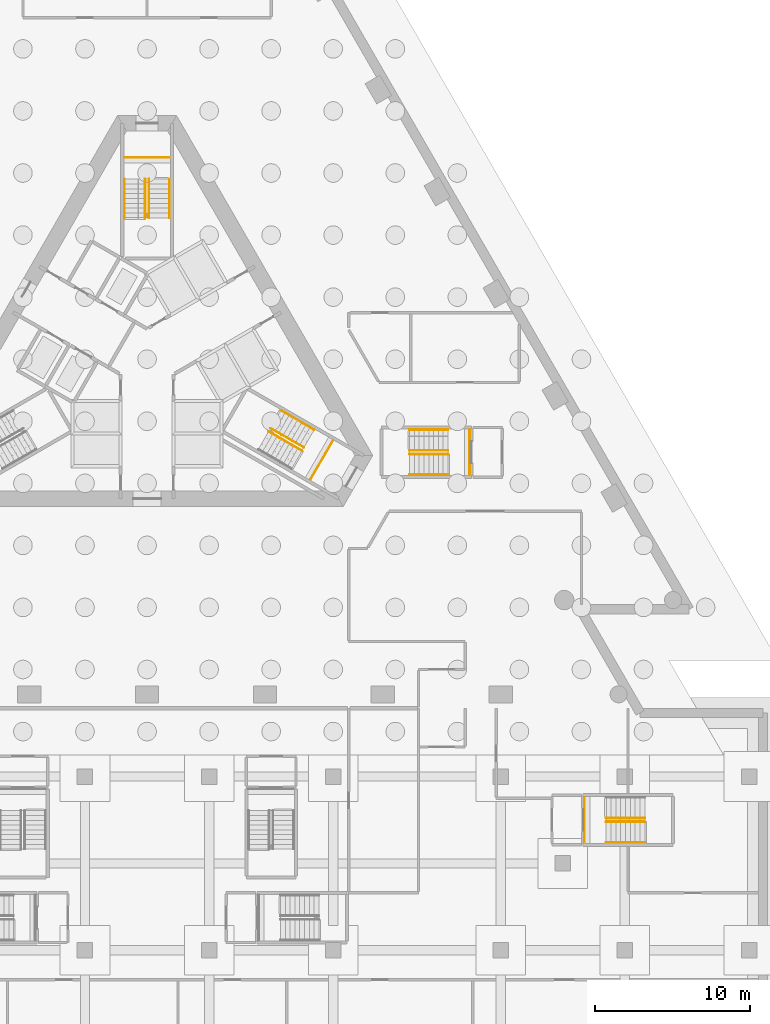
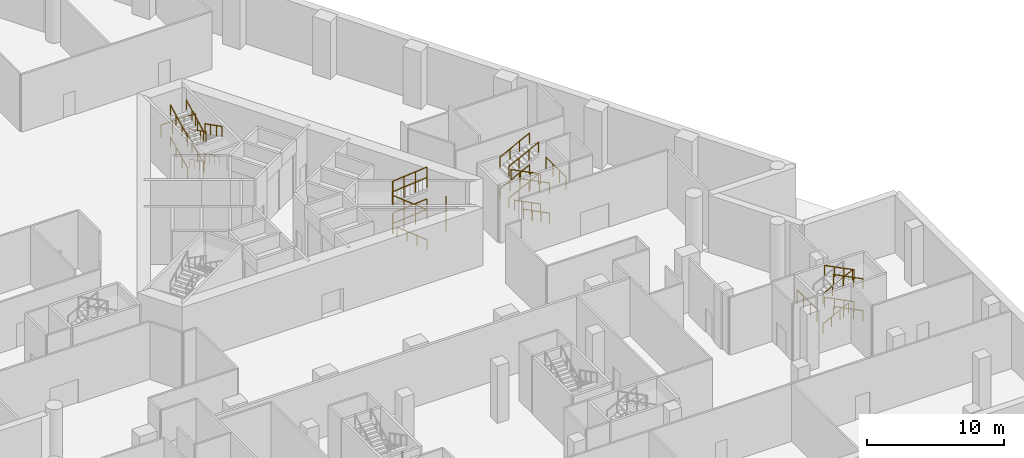
# One storey, part 18 of 20: 32 railings, 4 elements without a shape of their own.
"""IFC4 building model written with IfcOpenShell, lengths in metres."""

from ifc_helpers import new_model, si_unit, direction, frame, origin, origin_2d, place, context, subcontext, project, spatial, circle, extrude, material, type_object, element, aggregate, save


model = new_model("IFC4")

# Units and contexts
model_context = context("Model", 3, precision=1e-05, world=origin(), true_north=direction((0.0, 1.0)))
body_context = subcontext(model_context, "Body", "Model", "MODEL_VIEW")
ifc_project = project(units=[si_unit("LENGTHUNIT", "METRE"), si_unit("AREAUNIT", "SQUARE_METRE"), si_unit("VOLUMEUNIT", "CUBIC_METRE"), si_unit("PLANEANGLEUNIT", "RADIAN"), si_unit("MASSUNIT", "GRAM", prefix="KILO")], contexts=[model_context])

# Site, building, storey
site_placement = place(None, origin())
site = spatial("IfcSite", under=ifc_project, at=site_placement, CompositionType="ELEMENT")
building_placement = place(site_placement, origin())
building = spatial("IfcBuilding", under=site, at=building_placement, Name="Triada Interchange Tower", CompositionType="ELEMENT")
storey_placement = place(building_placement, frame((0.0, 0.0, -5.5)))
storey = spatial("IfcBuildingStorey", under=building, at=storey_placement, Name="B1", CompositionType="ELEMENT", Elevation=-5.5)

# Stair, railing
ifc_material_1 = material(Name="Concrete C35/45", Category="concrete")
stair_type = type_object("IfcStairType", Name="HALF TURN STAIR 1400", PredefinedType="HALF_TURN_STAIR", material=ifc_material_1)
stair_1_placement = place(storey_placement, origin())
stair_1 = element("IfcStair", 1, at=stair_1_placement, inside=storey, type_object=stair_type, Name="Exit stair SB1-1", PredefinedType="HALF_TURN_STAIR")
ifc_material_2 = material(Name="Stainless steel 1.4301", Category="steel")
railing_type_1 = type_object("IfcRailingType", Name="STAIR GUARD 1100", PredefinedType="GUARDRAIL", material=ifc_material_2)
railing_1_placement = place(storey_placement, frame((1.449951171875, 13.0, 2.67138671875)))
railing_1 = element("IfcRailing", 2, at=railing_1_placement, type_object=railing_type_1, Name="Guard SB1-1 1", PredefinedType="GUARDRAIL", context=body_context, shape_type="SweptSolid", body=[
    extrude(circle(Radius=0.02392578125, at=origin_2d()), frame((0.0, 0.0, 1.076171875), z_axis=(-1.0, 0.0, 0.0), x_axis=(0.0, -1.0, 0.0)), (0.0, 0.0, 1.0), 2.89990234375),
    extrude(circle(Radius=0.02099609375, at=origin_2d()), origin(), (0.0, 0.0, 1.0), 1.052001953125),
    extrude(circle(Radius=0.02099609375, at=origin_2d()), frame((-0.966552734375, 0.0, 0.0)), (0.0, 0.0, 1.0), 1.052001953125),
    extrude(circle(Radius=0.02099609375, at=origin_2d()), frame((-1.933349609375, 0.0, 0.0)), (0.0, 0.0, 1.0), 1.052001953125),
    extrude(circle(Radius=0.02099609375, at=origin_2d()), frame((-2.89990234375, 0.0, 0.0)), (0.0, 0.0, 1.0), 1.052001953125),
])

stair_2_placement = place(storey_placement, origin())
stair_2 = element("IfcStair", 3, at=stair_2_placement, inside=storey, type_object=stair_type, Name="Exit stair SB1-3", PredefinedType="HALF_TURN_STAIR")
railing_2_placement = place(storey_placement, frame((10.532958984375, -7.756103515625, 2.67138671875)))
railing_2 = element("IfcRailing", 4, at=railing_2_placement, type_object=railing_type_1, Name="Guard SB1-3 1", PredefinedType="GUARDRAIL", context=body_context, shape_type="SweptSolid", body=[
    extrude(circle(Radius=0.02392578125, at=origin_2d()), frame((0.0, 0.0, 1.076171875), z_axis=(0.499877891294, 0.866095891802, 0.0), x_axis=(-0.866095891802, 0.499877891294, 0.0)), (0.0, 0.0, 1.0), 2.900634765625),
    extrude(circle(Radius=0.02099609375, at=origin_2d()), origin(), (0.0, 0.0, 1.0), 1.052001953125),
    extrude(circle(Radius=0.02099609375, at=origin_2d()), frame((0.4833984375, 0.83740234375, 0.0)), (0.0, 0.0, 1.0), 1.052001953125),
    extrude(circle(Radius=0.02099609375, at=origin_2d()), frame((0.966552734375, 1.6748046875, 0.0)), (0.0, 0.0, 1.0), 1.052001953125),
    extrude(circle(Radius=0.02099609375, at=origin_2d()), frame((1.449951171875, 2.51220703125, 0.0)), (0.0, 0.0, 1.0), 1.052001953125),
])

stair_3_placement = place(storey_placement, origin())
stair_3 = element("IfcStair", 5, at=stair_3_placement, inside=storey, type_object=stair_type, Name="Exit stair SB1-7", PredefinedType="HALF_TURN_STAIR")
railing_3_placement = place(storey_placement, frame((20.800048828125, -7.449951171875, 2.67138671875)))
railing_3 = element("IfcRailing", 6, at=railing_3_placement, type_object=railing_type_1, Name="Guard SB1-7 1", PredefinedType="GUARDRAIL", context=body_context, shape_type="SweptSolid", body=[
    extrude(circle(Radius=0.02392578125, at=origin_2d()), frame((0.0, 0.0, 1.076171875), z_axis=(0.0, 1.0, 0.0), x_axis=(-1.0, 0.0, 0.0)), (0.0, 0.0, 1.0), 2.89990234375),
    extrude(circle(Radius=0.02099609375, at=origin_2d()), origin(), (0.0, 0.0, 1.0), 1.052001953125),
    extrude(circle(Radius=0.02099609375, at=origin_2d()), frame((0.0, 0.966552734375, 0.0)), (0.0, 0.0, 1.0), 1.052001953125),
    extrude(circle(Radius=0.02099609375, at=origin_2d()), frame((0.0, 1.933349609375, 0.0)), (0.0, 0.0, 1.0), 1.052001953125),
    extrude(circle(Radius=0.02099609375, at=origin_2d()), frame((0.0, 2.89990234375, 0.0)), (0.0, 0.0, 1.0), 1.052001953125),
])

stair_4_placement = place(storey_placement, origin())
stair_4 = element("IfcStair", 7, at=stair_4_placement, inside=storey, type_object=stair_type, Name="Exit stair SB1-9", PredefinedType="HALF_TURN_STAIR")
railing_4_placement = place(storey_placement, frame((28.199951171875, -28.25, 2.67138671875)))
railing_4 = element("IfcRailing", 8, at=railing_4_placement, type_object=railing_type_1, Name="Guard SB1-9 1", PredefinedType="GUARDRAIL", context=body_context, shape_type="SweptSolid", body=[
    extrude(circle(Radius=0.02392578125, at=origin_2d()), frame((0.0, 0.0, 1.076171875), z_axis=(0.0, -1.0, 0.0), x_axis=(1.0, 0.0, 0.0)), (0.0, 0.0, 1.0), 2.89990234375),
    extrude(circle(Radius=0.02099609375, at=origin_2d()), origin(), (0.0, 0.0, 1.0), 1.052001953125),
    extrude(circle(Radius=0.02099609375, at=origin_2d()), frame((0.0, -0.966552734375, 0.0)), (0.0, 0.0, 1.0), 1.052001953125),
    extrude(circle(Radius=0.02099609375, at=origin_2d()), frame((0.0, -1.933349609375, 0.0)), (0.0, 0.0, 1.0), 1.052001953125),
    extrude(circle(Radius=0.02099609375, at=origin_2d()), frame((0.0, -2.89990234375, 0.0)), (0.0, 0.0, 1.0), 1.052001953125),
])

# Railing
railing_type_2 = type_object("IfcRailingType", Name="STAIR HANDRAIL 900", PredefinedType="HANDRAIL", material=ifc_material_2)
railing_5_placement = place(storey_placement, frame((1.449951171875, 11.60009765625, 0.156982421875)))
railing_5 = element("IfcRailing", 9, at=railing_5_placement, type_object=railing_type_2, Name="Handrail SB1-1 1W", PredefinedType="HANDRAIL", context=body_context, shape_type="SweptSolid", body=[
    extrude(circle(Radius=0.02392578125, at=origin_2d()), frame((0.0, 0.0, 0.8759765625), z_axis=(0.0, -0.891945138919, 0.452143637751), x_axis=(1.0, 0.0, 0.0)), (0.0, 0.0, 1.0), 2.43310546875),
    extrude(circle(Radius=0.02099609375, at=origin_2d()), origin(), (0.0, 0.0, 1.0), 0.851806640625),
    extrude(circle(Radius=0.02099609375, at=origin_2d()), frame((0.0, -0.723388671875, 0.36669921875)), (0.0, 0.0, 1.0), 0.851806640625),
    extrude(circle(Radius=0.02099609375, at=origin_2d()), frame((0.0, -1.44677734375, 0.7333984375)), (0.0, 0.0, 1.0), 0.851806640625),
    extrude(circle(Radius=0.02099609375, at=origin_2d()), frame((0.0, -2.170166015625, 1.10009765625)), (0.0, 0.0, 1.0), 0.851806640625),
])

railing_6_placement = place(storey_placement, frame((0.1201171875, 11.60009765625, 0.156982421875)))
railing_6 = element("IfcRailing", 10, at=railing_6_placement, type_object=railing_type_2, Name="Handrail SB1-1 1C", PredefinedType="HANDRAIL", context=body_context, shape_type="SweptSolid", body=[
    extrude(circle(Radius=0.02392578125, at=origin_2d()), frame((0.0, 0.0, 0.8759765625), z_axis=(0.0, -0.891945138919, 0.452143637751), x_axis=(1.0, 0.0, 0.0)), (0.0, 0.0, 1.0), 2.43310546875),
    extrude(circle(Radius=0.02099609375, at=origin_2d()), origin(), (0.0, 0.0, 1.0), 0.851806640625),
    extrude(circle(Radius=0.02099609375, at=origin_2d()), frame((0.0, -0.723388671875, 0.36669921875)), (0.0, 0.0, 1.0), 0.851806640625),
    extrude(circle(Radius=0.02099609375, at=origin_2d()), frame((0.0, -1.44677734375, 0.7333984375)), (0.0, 0.0, 1.0), 0.851806640625),
    extrude(circle(Radius=0.02099609375, at=origin_2d()), frame((0.0, -2.170166015625, 1.10009765625)), (0.0, 0.0, 1.0), 0.851806640625),
])

railing_7_placement = place(storey_placement, frame((-1.449951171875, 9.1201171875, 1.414306640625)))
railing_7 = element("IfcRailing", 11, at=railing_7_placement, type_object=railing_type_2, Name="Handrail SB1-1 2W", PredefinedType="HANDRAIL", context=body_context, shape_type="SweptSolid", body=[
    extrude(circle(Radius=0.02392578125, at=origin_2d()), frame((0.0, 0.0, 0.8759765625), z_axis=(0.0, 0.89195504639, 0.452124092721), x_axis=(-1.0, 0.0, 0.0)), (0.0, 0.0, 1.0), 2.7802734375),
    extrude(circle(Radius=0.02099609375, at=origin_2d()), origin(), (0.0, 0.0, 1.0), 0.851806640625),
    extrude(circle(Radius=0.02099609375, at=origin_2d()), frame((0.0, 0.82666015625, 0.4189453125)), (0.0, 0.0, 1.0), 0.851806640625),
    extrude(circle(Radius=0.02099609375, at=origin_2d()), frame((0.0, 1.6533203125, 0.838134765625)), (0.0, 0.0, 1.0), 0.851806640625),
    extrude(circle(Radius=0.02099609375, at=origin_2d()), frame((0.0, 2.47998046875, 1.257080078125)), (0.0, 0.0, 1.0), 0.851806640625),
])

railing_8_placement = place(storey_placement, frame((-0.1201171875, 9.1201171875, 1.414306640625)))
railing_8 = element("IfcRailing", 12, at=railing_8_placement, type_object=railing_type_2, Name="Handrail SB1-1 2C", PredefinedType="HANDRAIL", context=body_context, shape_type="SweptSolid", body=[
    extrude(circle(Radius=0.02392578125, at=origin_2d()), frame((0.0, 0.0, 0.8759765625), z_axis=(0.0, 0.89195504639, 0.452124092721), x_axis=(-1.0, 0.0, 0.0)), (0.0, 0.0, 1.0), 2.7802734375),
    extrude(circle(Radius=0.02099609375, at=origin_2d()), origin(), (0.0, 0.0, 1.0), 0.851806640625),
    extrude(circle(Radius=0.02099609375, at=origin_2d()), frame((0.0, 0.82666015625, 0.4189453125)), (0.0, 0.0, 1.0), 0.851806640625),
    extrude(circle(Radius=0.02099609375, at=origin_2d()), frame((0.0, 1.6533203125, 0.838134765625)), (0.0, 0.0, 1.0), 0.851806640625),
    extrude(circle(Radius=0.02099609375, at=origin_2d()), frame((0.0, 2.47998046875, 1.257080078125)), (0.0, 0.0, 1.0), 0.851806640625),
])

railing_9_placement = place(storey_placement, frame((1.449951171875, 11.60009765625, 2.82861328125)))
railing_9 = element("IfcRailing", 13, at=railing_9_placement, type_object=railing_type_2, Name="Handrail SB1-1 3W", PredefinedType="HANDRAIL", context=body_context, shape_type="SweptSolid", body=[
    extrude(circle(Radius=0.02392578125, at=origin_2d()), frame((0.0, 0.0, 0.8759765625), z_axis=(0.0, -0.89195504639, 0.452124092721), x_axis=(1.0, 0.0, 0.0)), (0.0, 0.0, 1.0), 2.7802734375),
    extrude(circle(Radius=0.02099609375, at=origin_2d()), origin(), (0.0, 0.0, 1.0), 0.851806640625),
    extrude(circle(Radius=0.02099609375, at=origin_2d()), frame((0.0, -0.82666015625, 0.4189453125)), (0.0, 0.0, 1.0), 0.851806640625),
    extrude(circle(Radius=0.02099609375, at=origin_2d()), frame((0.0, -1.6533203125, 0.838134765625)), (0.0, 0.0, 1.0), 0.851806640625),
    extrude(circle(Radius=0.02099609375, at=origin_2d()), frame((0.0, -2.47998046875, 1.257080078125)), (0.0, 0.0, 1.0), 0.851806640625),
])

railing_10_placement = place(storey_placement, frame((0.1201171875, 11.60009765625, 2.82861328125)))
railing_10 = element("IfcRailing", 14, at=railing_10_placement, type_object=railing_type_2, Name="Handrail SB1-1 3C", PredefinedType="HANDRAIL", context=body_context, shape_type="SweptSolid", body=[
    extrude(circle(Radius=0.02392578125, at=origin_2d()), frame((0.0, 0.0, 0.8759765625), z_axis=(0.0, -0.89195504639, 0.452124092721), x_axis=(1.0, 0.0, 0.0)), (0.0, 0.0, 1.0), 2.7802734375),
    extrude(circle(Radius=0.02099609375, at=origin_2d()), origin(), (0.0, 0.0, 1.0), 0.851806640625),
    extrude(circle(Radius=0.02099609375, at=origin_2d()), frame((0.0, -0.82666015625, 0.4189453125)), (0.0, 0.0, 1.0), 0.851806640625),
    extrude(circle(Radius=0.02099609375, at=origin_2d()), frame((0.0, -1.6533203125, 0.838134765625)), (0.0, 0.0, 1.0), 0.851806640625),
    extrude(circle(Radius=0.02099609375, at=origin_2d()), frame((0.0, -2.47998046875, 1.257080078125)), (0.0, 0.0, 1.0), 0.851806640625),
])

railing_11_placement = place(storey_placement, frame((-1.449951171875, 9.1201171875, 4.24267578125)))
railing_11 = element("IfcRailing", 15, at=railing_11_placement, type_object=railing_type_2, Name="Handrail SB1-1 4W", PredefinedType="HANDRAIL", context=body_context, shape_type="SweptSolid", body=[
    extrude(circle(Radius=0.02392578125, at=origin_2d()), frame((0.0, 0.0, 0.8759765625), z_axis=(0.0, 0.89191963429, 0.452193947292), x_axis=(-1.0, 0.0, 0.0)), (0.0, 0.0, 1.0), 2.780517578125),
    extrude(circle(Radius=0.02099609375, at=origin_2d()), origin(), (0.0, 0.0, 1.0), 0.851806640625),
    extrude(circle(Radius=0.02099609375, at=origin_2d()), frame((0.0, 0.82666015625, 0.419189453125)), (0.0, 0.0, 1.0), 0.851806640625),
    extrude(circle(Radius=0.02099609375, at=origin_2d()), frame((0.0, 1.6533203125, 0.838134765625)), (0.0, 0.0, 1.0), 0.851806640625),
    extrude(circle(Radius=0.02099609375, at=origin_2d()), frame((0.0, 2.47998046875, 1.25732421875)), (0.0, 0.0, 1.0), 0.851806640625),
])

railing_12_placement = place(storey_placement, frame((-0.1201171875, 9.1201171875, 4.24267578125)))
railing_12 = element("IfcRailing", 16, at=railing_12_placement, type_object=railing_type_2, Name="Handrail SB1-1 4C", PredefinedType="HANDRAIL", context=body_context, shape_type="SweptSolid", body=[
    extrude(circle(Radius=0.02392578125, at=origin_2d()), frame((0.0, 0.0, 0.8759765625), z_axis=(0.0, 0.89191963429, 0.452193947292), x_axis=(-1.0, 0.0, 0.0)), (0.0, 0.0, 1.0), 2.780517578125),
    extrude(circle(Radius=0.02099609375, at=origin_2d()), origin(), (0.0, 0.0, 1.0), 0.851806640625),
    extrude(circle(Radius=0.02099609375, at=origin_2d()), frame((0.0, 0.82666015625, 0.419189453125)), (0.0, 0.0, 1.0), 0.851806640625),
    extrude(circle(Radius=0.02099609375, at=origin_2d()), frame((0.0, 1.6533203125, 0.838134765625)), (0.0, 0.0, 1.0), 0.851806640625),
    extrude(circle(Radius=0.02099609375, at=origin_2d()), frame((0.0, 2.47998046875, 1.25732421875)), (0.0, 0.0, 1.0), 0.851806640625),
])

aggregate(stair_1, [railing_5, railing_6, railing_7, railing_8, railing_9, railing_10, railing_11, railing_12, railing_1])

railing_13_placement = place(storey_placement, frame((9.986083984375, -5.904052734375, 0.156982421875)))
railing_13 = element("IfcRailing", 17, at=railing_13_placement, type_object=railing_type_2, Name="Handrail SB1-3 1C", PredefinedType="HANDRAIL", context=body_context, shape_type="SweptSolid", body=[
    extrude(circle(Radius=0.02392578125, at=origin_2d()), frame((0.0, 0.0, 0.8759765625), z_axis=(-0.772419918209, 0.445970393208, 0.452192302384), x_axis=(-0.500011390128, -0.866018827591, 0.0)), (0.0, 0.0, 1.0), 2.432861328125),
    extrude(circle(Radius=0.02099609375, at=origin_2d()), origin(), (0.0, 0.0, 1.0), 0.851806640625),
    extrude(circle(Radius=0.02099609375, at=origin_2d()), frame((-0.62646484375, 0.361572265625, 0.36669921875)), (0.0, 0.0, 1.0), 0.851806640625),
    extrude(circle(Radius=0.02099609375, at=origin_2d()), frame((-1.252685546875, 0.723388671875, 0.7333984375)), (0.0, 0.0, 1.0), 0.851806640625),
    extrude(circle(Radius=0.02099609375, at=origin_2d()), frame((-1.879150390625, 1.0849609375, 1.10009765625)), (0.0, 0.0, 1.0), 0.851806640625),
])

railing_14_placement = place(storey_placement, frame((8.623046875, -3.303955078125, 1.414306640625)))
railing_14 = element("IfcRailing", 18, at=railing_14_placement, type_object=railing_type_2, Name="Handrail SB1-3 2W", PredefinedType="HANDRAIL", context=body_context, shape_type="SweptSolid", body=[
    extrude(circle(Radius=0.02392578125, at=origin_2d()), frame((0.0, 0.0, 0.8759765625), z_axis=(0.772488092846, -0.44594987765, 0.452096066158), x_axis=(0.499961042966, 0.86604789447, 0.0)), (0.0, 0.0, 1.0), 2.780517578125),
    extrude(circle(Radius=0.02099609375, at=origin_2d()), origin(), (0.0, 0.0, 1.0), 0.851806640625),
    extrude(circle(Radius=0.02099609375, at=origin_2d()), frame((0.716064453125, -0.413330078125, 0.4189453125)), (0.0, 0.0, 1.0), 0.851806640625),
    extrude(circle(Radius=0.02099609375, at=origin_2d()), frame((1.431884765625, -0.82666015625, 0.838134765625)), (0.0, 0.0, 1.0), 0.851806640625),
    extrude(circle(Radius=0.02099609375, at=origin_2d()), frame((2.14794921875, -1.239990234375, 1.257080078125)), (0.0, 0.0, 1.0), 0.851806640625),
])

railing_15_placement = place(storey_placement, frame((7.9580078125, -4.4560546875, 1.414306640625)))
railing_15 = element("IfcRailing", 19, at=railing_15_placement, type_object=railing_type_2, Name="Handrail SB1-3 2C", PredefinedType="HANDRAIL", context=body_context, shape_type="SweptSolid", body=[
    extrude(circle(Radius=0.02392578125, at=origin_2d()), frame((0.0, 0.0, 0.8759765625), z_axis=(0.772488092846, -0.44594987765, 0.452096066158), x_axis=(0.499961042966, 0.86604789447, 0.0)), (0.0, 0.0, 1.0), 2.780517578125),
    extrude(circle(Radius=0.02099609375, at=origin_2d()), origin(), (0.0, 0.0, 1.0), 0.851806640625),
    extrude(circle(Radius=0.02099609375, at=origin_2d()), frame((0.716064453125, -0.413330078125, 0.4189453125)), (0.0, 0.0, 1.0), 0.851806640625),
    extrude(circle(Radius=0.02099609375, at=origin_2d()), frame((1.431884765625, -0.82666015625, 0.838134765625)), (0.0, 0.0, 1.0), 0.851806640625),
    extrude(circle(Radius=0.02099609375, at=origin_2d()), frame((2.14794921875, -1.239990234375, 1.257080078125)), (0.0, 0.0, 1.0), 0.851806640625),
])

railing_16_placement = place(storey_placement, frame((9.986083984375, -5.904052734375, 2.82861328125)))
railing_16 = element("IfcRailing", 20, at=railing_16_placement, type_object=railing_type_2, Name="Handrail SB1-3 3C", PredefinedType="HANDRAIL", context=body_context, shape_type="SweptSolid", body=[
    extrude(circle(Radius=0.02392578125, at=origin_2d()), frame((0.0, 0.0, 0.8759765625), z_axis=(-0.772523496746, 0.445919631773, 0.452065403426), x_axis=(-0.499918423778, -0.866072496716, 0.0)), (0.0, 0.0, 1.0), 2.78076171875),
    extrude(circle(Radius=0.02099609375, at=origin_2d()), origin(), (0.0, 0.0, 1.0), 0.851806640625),
    extrude(circle(Radius=0.02099609375, at=origin_2d()), frame((-0.716064453125, 0.413330078125, 0.4189453125)), (0.0, 0.0, 1.0), 0.851806640625),
    extrude(circle(Radius=0.02099609375, at=origin_2d()), frame((-1.43212890625, 0.82666015625, 0.838134765625)), (0.0, 0.0, 1.0), 0.851806640625),
    extrude(circle(Radius=0.02099609375, at=origin_2d()), frame((-2.148193359375, 1.239990234375, 1.257080078125)), (0.0, 0.0, 1.0), 0.851806640625),
])

railing_17_placement = place(storey_placement, frame((8.623046875, -3.303955078125, 4.24267578125)))
railing_17 = element("IfcRailing", 21, at=railing_17_placement, type_object=railing_type_2, Name="Handrail SB1-3 4W", PredefinedType="HANDRAIL", context=body_context, shape_type="SweptSolid", body=[
    extrude(circle(Radius=0.02392578125, at=origin_2d()), frame((0.0, 0.0, 0.8759765625), z_axis=(0.772457427584, -0.445932174892, 0.452165918625), x_axis=(0.499961042966, 0.86604789447, 0.0)), (0.0, 0.0, 1.0), 2.78076171875),
    extrude(circle(Radius=0.02099609375, at=origin_2d()), origin(), (0.0, 0.0, 1.0), 0.851806640625),
    extrude(circle(Radius=0.02099609375, at=origin_2d()), frame((0.716064453125, -0.413330078125, 0.419189453125)), (0.0, 0.0, 1.0), 0.851806640625),
    extrude(circle(Radius=0.02099609375, at=origin_2d()), frame((1.431884765625, -0.82666015625, 0.838134765625)), (0.0, 0.0, 1.0), 0.851806640625),
    extrude(circle(Radius=0.02099609375, at=origin_2d()), frame((2.14794921875, -1.239990234375, 1.25732421875)), (0.0, 0.0, 1.0), 0.851806640625),
])

railing_18_placement = place(storey_placement, frame((7.9580078125, -4.4560546875, 4.24267578125)))
railing_18 = element("IfcRailing", 22, at=railing_18_placement, type_object=railing_type_2, Name="Handrail SB1-3 4C", PredefinedType="HANDRAIL", context=body_context, shape_type="SweptSolid", body=[
    extrude(circle(Radius=0.02392578125, at=origin_2d()), frame((0.0, 0.0, 0.8759765625), z_axis=(0.772457427584, -0.445932174892, 0.452165918625), x_axis=(0.499961042966, 0.86604789447, 0.0)), (0.0, 0.0, 1.0), 2.78076171875),
    extrude(circle(Radius=0.02099609375, at=origin_2d()), origin(), (0.0, 0.0, 1.0), 0.851806640625),
    extrude(circle(Radius=0.02099609375, at=origin_2d()), frame((0.716064453125, -0.413330078125, 0.419189453125)), (0.0, 0.0, 1.0), 0.851806640625),
    extrude(circle(Radius=0.02099609375, at=origin_2d()), frame((1.431884765625, -0.82666015625, 0.838134765625)), (0.0, 0.0, 1.0), 0.851806640625),
    extrude(circle(Radius=0.02099609375, at=origin_2d()), frame((2.14794921875, -1.239990234375, 1.25732421875)), (0.0, 0.0, 1.0), 0.851806640625),
])

aggregate(stair_2, [railing_13, railing_14, railing_15, railing_16, railing_17, railing_18, railing_2])

railing_19_placement = place(storey_placement, frame((19.39990234375, -7.449951171875, 0.156982421875)))
railing_19 = element("IfcRailing", 23, at=railing_19_placement, type_object=railing_type_2, Name="Handrail SB1-7 1W", PredefinedType="HANDRAIL", context=body_context, shape_type="SweptSolid", body=[
    extrude(circle(Radius=0.02392578125, at=origin_2d()), frame((0.0, 0.0, 0.8759765625), z_axis=(-0.891924622744, 0.0, 0.452184107795), x_axis=(0.0, -1.0, 0.0)), (0.0, 0.0, 1.0), 2.432861328125),
    extrude(circle(Radius=0.02099609375, at=origin_2d()), origin(), (0.0, 0.0, 1.0), 0.851806640625),
    extrude(circle(Radius=0.02099609375, at=origin_2d()), frame((-0.723388671875, 0.0, 0.36669921875)), (0.0, 0.0, 1.0), 0.851806640625),
    extrude(circle(Radius=0.02099609375, at=origin_2d()), frame((-1.446533203125, 0.0, 0.7333984375)), (0.0, 0.0, 1.0), 0.851806640625),
    extrude(circle(Radius=0.02099609375, at=origin_2d()), frame((-2.169921875, 0.0, 1.10009765625)), (0.0, 0.0, 1.0), 0.851806640625),
])

railing_20_placement = place(storey_placement, frame((19.39990234375, -6.1201171875, 0.156982421875)))
railing_20 = element("IfcRailing", 24, at=railing_20_placement, type_object=railing_type_2, Name="Handrail SB1-7 1C", PredefinedType="HANDRAIL", context=body_context, shape_type="SweptSolid", body=[
    extrude(circle(Radius=0.02392578125, at=origin_2d()), frame((0.0, 0.0, 0.8759765625), z_axis=(-0.891924622744, 0.0, 0.452184107795), x_axis=(0.0, -1.0, 0.0)), (0.0, 0.0, 1.0), 2.432861328125),
    extrude(circle(Radius=0.02099609375, at=origin_2d()), origin(), (0.0, 0.0, 1.0), 0.851806640625),
    extrude(circle(Radius=0.02099609375, at=origin_2d()), frame((-0.723388671875, 0.0, 0.36669921875)), (0.0, 0.0, 1.0), 0.851806640625),
    extrude(circle(Radius=0.02099609375, at=origin_2d()), frame((-1.446533203125, 0.0, 0.7333984375)), (0.0, 0.0, 1.0), 0.851806640625),
    extrude(circle(Radius=0.02099609375, at=origin_2d()), frame((-2.169921875, 0.0, 1.10009765625)), (0.0, 0.0, 1.0), 0.851806640625),
])

railing_21_placement = place(storey_placement, frame((16.919921875, -4.550048828125, 1.414306640625)))
railing_21 = element("IfcRailing", 25, at=railing_21_placement, type_object=railing_type_2, Name="Handrail SB1-7 2W", PredefinedType="HANDRAIL", context=body_context, shape_type="SweptSolid", body=[
    extrude(circle(Radius=0.02392578125, at=origin_2d()), frame((0.0, 0.0, 0.8759765625), z_axis=(0.89195504639, 0.0, 0.452124092721), x_axis=(0.0, 1.0, 0.0)), (0.0, 0.0, 1.0), 2.7802734375),
    extrude(circle(Radius=0.02099609375, at=origin_2d()), origin(), (0.0, 0.0, 1.0), 0.851806640625),
    extrude(circle(Radius=0.02099609375, at=origin_2d()), frame((0.82666015625, 0.0, 0.4189453125)), (0.0, 0.0, 1.0), 0.851806640625),
    extrude(circle(Radius=0.02099609375, at=origin_2d()), frame((1.6533203125, 0.0, 0.838134765625)), (0.0, 0.0, 1.0), 0.851806640625),
    extrude(circle(Radius=0.02099609375, at=origin_2d()), frame((2.47998046875, 0.0, 1.257080078125)), (0.0, 0.0, 1.0), 0.851806640625),
])

railing_22_placement = place(storey_placement, frame((16.919921875, -5.8798828125, 1.414306640625)))
railing_22 = element("IfcRailing", 26, at=railing_22_placement, type_object=railing_type_2, Name="Handrail SB1-7 2C", PredefinedType="HANDRAIL", context=body_context, shape_type="SweptSolid", body=[
    extrude(circle(Radius=0.02392578125, at=origin_2d()), frame((0.0, 0.0, 0.8759765625), z_axis=(0.89195504639, 0.0, 0.452124092721), x_axis=(0.0, 1.0, 0.0)), (0.0, 0.0, 1.0), 2.7802734375),
    extrude(circle(Radius=0.02099609375, at=origin_2d()), origin(), (0.0, 0.0, 1.0), 0.851806640625),
    extrude(circle(Radius=0.02099609375, at=origin_2d()), frame((0.82666015625, 0.0, 0.4189453125)), (0.0, 0.0, 1.0), 0.851806640625),
    extrude(circle(Radius=0.02099609375, at=origin_2d()), frame((1.6533203125, 0.0, 0.838134765625)), (0.0, 0.0, 1.0), 0.851806640625),
    extrude(circle(Radius=0.02099609375, at=origin_2d()), frame((2.47998046875, 0.0, 1.257080078125)), (0.0, 0.0, 1.0), 0.851806640625),
])

railing_23_placement = place(storey_placement, frame((19.39990234375, -7.449951171875, 2.82861328125)))
railing_23 = element("IfcRailing", 27, at=railing_23_placement, type_object=railing_type_2, Name="Handrail SB1-7 3W", PredefinedType="HANDRAIL", context=body_context, shape_type="SweptSolid", body=[
    extrude(circle(Radius=0.02392578125, at=origin_2d()), frame((0.0, 0.0, 0.8759765625), z_axis=(-0.89195504639, 0.0, 0.452124092721), x_axis=(0.0, -1.0, 0.0)), (0.0, 0.0, 1.0), 2.7802734375),
    extrude(circle(Radius=0.02099609375, at=origin_2d()), origin(), (0.0, 0.0, 1.0), 0.851806640625),
    extrude(circle(Radius=0.02099609375, at=origin_2d()), frame((-0.82666015625, 0.0, 0.4189453125)), (0.0, 0.0, 1.0), 0.851806640625),
    extrude(circle(Radius=0.02099609375, at=origin_2d()), frame((-1.6533203125, 0.0, 0.838134765625)), (0.0, 0.0, 1.0), 0.851806640625),
    extrude(circle(Radius=0.02099609375, at=origin_2d()), frame((-2.47998046875, 0.0, 1.257080078125)), (0.0, 0.0, 1.0), 0.851806640625),
])

railing_24_placement = place(storey_placement, frame((19.39990234375, -6.1201171875, 2.82861328125)))
railing_24 = element("IfcRailing", 28, at=railing_24_placement, type_object=railing_type_2, Name="Handrail SB1-7 3C", PredefinedType="HANDRAIL", context=body_context, shape_type="SweptSolid", body=[
    extrude(circle(Radius=0.02392578125, at=origin_2d()), frame((0.0, 0.0, 0.8759765625), z_axis=(-0.89195504639, 0.0, 0.452124092721), x_axis=(0.0, -1.0, 0.0)), (0.0, 0.0, 1.0), 2.7802734375),
    extrude(circle(Radius=0.02099609375, at=origin_2d()), origin(), (0.0, 0.0, 1.0), 0.851806640625),
    extrude(circle(Radius=0.02099609375, at=origin_2d()), frame((-0.82666015625, 0.0, 0.4189453125)), (0.0, 0.0, 1.0), 0.851806640625),
    extrude(circle(Radius=0.02099609375, at=origin_2d()), frame((-1.6533203125, 0.0, 0.838134765625)), (0.0, 0.0, 1.0), 0.851806640625),
    extrude(circle(Radius=0.02099609375, at=origin_2d()), frame((-2.47998046875, 0.0, 1.257080078125)), (0.0, 0.0, 1.0), 0.851806640625),
])

railing_25_placement = place(storey_placement, frame((16.919921875, -4.550048828125, 4.24267578125)))
railing_25 = element("IfcRailing", 29, at=railing_25_placement, type_object=railing_type_2, Name="Handrail SB1-7 4W", PredefinedType="HANDRAIL", context=body_context, shape_type="SweptSolid", body=[
    extrude(circle(Radius=0.02392578125, at=origin_2d()), frame((0.0, 0.0, 0.8759765625), z_axis=(0.89191963429, 0.0, 0.452193947292), x_axis=(0.0, 1.0, 0.0)), (0.0, 0.0, 1.0), 2.780517578125),
    extrude(circle(Radius=0.02099609375, at=origin_2d()), origin(), (0.0, 0.0, 1.0), 0.851806640625),
    extrude(circle(Radius=0.02099609375, at=origin_2d()), frame((0.82666015625, 0.0, 0.419189453125)), (0.0, 0.0, 1.0), 0.851806640625),
    extrude(circle(Radius=0.02099609375, at=origin_2d()), frame((1.6533203125, 0.0, 0.838134765625)), (0.0, 0.0, 1.0), 0.851806640625),
    extrude(circle(Radius=0.02099609375, at=origin_2d()), frame((2.47998046875, 0.0, 1.25732421875)), (0.0, 0.0, 1.0), 0.851806640625),
])

railing_26_placement = place(storey_placement, frame((16.919921875, -5.8798828125, 4.24267578125)))
railing_26 = element("IfcRailing", 30, at=railing_26_placement, type_object=railing_type_2, Name="Handrail SB1-7 4C", PredefinedType="HANDRAIL", context=body_context, shape_type="SweptSolid", body=[
    extrude(circle(Radius=0.02392578125, at=origin_2d()), frame((0.0, 0.0, 0.8759765625), z_axis=(0.89191963429, 0.0, 0.452193947292), x_axis=(0.0, 1.0, 0.0)), (0.0, 0.0, 1.0), 2.780517578125),
    extrude(circle(Radius=0.02099609375, at=origin_2d()), origin(), (0.0, 0.0, 1.0), 0.851806640625),
    extrude(circle(Radius=0.02099609375, at=origin_2d()), frame((0.82666015625, 0.0, 0.419189453125)), (0.0, 0.0, 1.0), 0.851806640625),
    extrude(circle(Radius=0.02099609375, at=origin_2d()), frame((1.6533203125, 0.0, 0.838134765625)), (0.0, 0.0, 1.0), 0.851806640625),
    extrude(circle(Radius=0.02099609375, at=origin_2d()), frame((2.47998046875, 0.0, 1.25732421875)), (0.0, 0.0, 1.0), 0.851806640625),
])

aggregate(stair_3, [railing_19, railing_20, railing_21, railing_22, railing_23, railing_24, railing_25, railing_26, railing_3])

railing_27_placement = place(storey_placement, frame((29.60009765625, -29.580078125, 0.156982421875)))
railing_27 = element("IfcRailing", 31, at=railing_27_placement, type_object=railing_type_2, Name="Handrail SB1-9 1C", PredefinedType="HANDRAIL", context=body_context, shape_type="SweptSolid", body=[
    extrude(circle(Radius=0.02392578125, at=origin_2d()), frame((0.0, 0.0, 0.8759765625), z_axis=(0.891924622744, 0.0, 0.452184107795), x_axis=(0.0, 1.0, 0.0)), (0.0, 0.0, 1.0), 2.432861328125),
    extrude(circle(Radius=0.02099609375, at=origin_2d()), origin(), (0.0, 0.0, 1.0), 0.851806640625),
    extrude(circle(Radius=0.02099609375, at=origin_2d()), frame((0.723388671875, 0.0, 0.36669921875)), (0.0, 0.0, 1.0), 0.851806640625),
    extrude(circle(Radius=0.02099609375, at=origin_2d()), frame((1.446533203125, 0.0, 0.7333984375)), (0.0, 0.0, 1.0), 0.851806640625),
    extrude(circle(Radius=0.02099609375, at=origin_2d()), frame((2.169921875, 0.0, 1.10009765625)), (0.0, 0.0, 1.0), 0.851806640625),
])

railing_28_placement = place(storey_placement, frame((32.080078125, -31.14990234375, 1.414306640625)))
railing_28 = element("IfcRailing", 32, at=railing_28_placement, type_object=railing_type_2, Name="Handrail SB1-9 2W", PredefinedType="HANDRAIL", context=body_context, shape_type="SweptSolid", body=[
    extrude(circle(Radius=0.02392578125, at=origin_2d()), frame((0.0, 0.0, 0.8759765625), z_axis=(-0.89195504639, 0.0, 0.452124092721), x_axis=(0.0, -1.0, 0.0)), (0.0, 0.0, 1.0), 2.7802734375),
    extrude(circle(Radius=0.02099609375, at=origin_2d()), origin(), (0.0, 0.0, 1.0), 0.851806640625),
    extrude(circle(Radius=0.02099609375, at=origin_2d()), frame((-0.82666015625, 0.0, 0.4189453125)), (0.0, 0.0, 1.0), 0.851806640625),
    extrude(circle(Radius=0.02099609375, at=origin_2d()), frame((-1.6533203125, 0.0, 0.838134765625)), (0.0, 0.0, 1.0), 0.851806640625),
    extrude(circle(Radius=0.02099609375, at=origin_2d()), frame((-2.47998046875, 0.0, 1.257080078125)), (0.0, 0.0, 1.0), 0.851806640625),
])

railing_29_placement = place(storey_placement, frame((32.080078125, -29.820068359375, 1.414306640625)))
railing_29 = element("IfcRailing", 33, at=railing_29_placement, type_object=railing_type_2, Name="Handrail SB1-9 2C", PredefinedType="HANDRAIL", context=body_context, shape_type="SweptSolid", body=[
    extrude(circle(Radius=0.02392578125, at=origin_2d()), frame((0.0, 0.0, 0.8759765625), z_axis=(-0.89195504639, 0.0, 0.452124092721), x_axis=(0.0, -1.0, 0.0)), (0.0, 0.0, 1.0), 2.7802734375),
    extrude(circle(Radius=0.02099609375, at=origin_2d()), origin(), (0.0, 0.0, 1.0), 0.851806640625),
    extrude(circle(Radius=0.02099609375, at=origin_2d()), frame((-0.82666015625, 0.0, 0.4189453125)), (0.0, 0.0, 1.0), 0.851806640625),
    extrude(circle(Radius=0.02099609375, at=origin_2d()), frame((-1.6533203125, 0.0, 0.838134765625)), (0.0, 0.0, 1.0), 0.851806640625),
    extrude(circle(Radius=0.02099609375, at=origin_2d()), frame((-2.47998046875, 0.0, 1.257080078125)), (0.0, 0.0, 1.0), 0.851806640625),
])

railing_30_placement = place(storey_placement, frame((29.60009765625, -29.580078125, 2.82861328125)))
railing_30 = element("IfcRailing", 34, at=railing_30_placement, type_object=railing_type_2, Name="Handrail SB1-9 3C", PredefinedType="HANDRAIL", context=body_context, shape_type="SweptSolid", body=[
    extrude(circle(Radius=0.02392578125, at=origin_2d()), frame((0.0, 0.0, 0.8759765625), z_axis=(0.89195504639, 0.0, 0.452124092721), x_axis=(0.0, 1.0, 0.0)), (0.0, 0.0, 1.0), 2.7802734375),
    extrude(circle(Radius=0.02099609375, at=origin_2d()), origin(), (0.0, 0.0, 1.0), 0.851806640625),
    extrude(circle(Radius=0.02099609375, at=origin_2d()), frame((0.82666015625, 0.0, 0.4189453125)), (0.0, 0.0, 1.0), 0.851806640625),
    extrude(circle(Radius=0.02099609375, at=origin_2d()), frame((1.6533203125, 0.0, 0.838134765625)), (0.0, 0.0, 1.0), 0.851806640625),
    extrude(circle(Radius=0.02099609375, at=origin_2d()), frame((2.47998046875, 0.0, 1.257080078125)), (0.0, 0.0, 1.0), 0.851806640625),
])

railing_31_placement = place(storey_placement, frame((32.080078125, -31.14990234375, 4.24267578125)))
railing_31 = element("IfcRailing", 35, at=railing_31_placement, type_object=railing_type_2, Name="Handrail SB1-9 4W", PredefinedType="HANDRAIL", context=body_context, shape_type="SweptSolid", body=[
    extrude(circle(Radius=0.02392578125, at=origin_2d()), frame((0.0, 0.0, 0.8759765625), z_axis=(-0.89191963429, 0.0, 0.452193947292), x_axis=(0.0, -1.0, 0.0)), (0.0, 0.0, 1.0), 2.780517578125),
    extrude(circle(Radius=0.02099609375, at=origin_2d()), origin(), (0.0, 0.0, 1.0), 0.851806640625),
    extrude(circle(Radius=0.02099609375, at=origin_2d()), frame((-0.82666015625, 0.0, 0.419189453125)), (0.0, 0.0, 1.0), 0.851806640625),
    extrude(circle(Radius=0.02099609375, at=origin_2d()), frame((-1.6533203125, 0.0, 0.838134765625)), (0.0, 0.0, 1.0), 0.851806640625),
    extrude(circle(Radius=0.02099609375, at=origin_2d()), frame((-2.47998046875, 0.0, 1.25732421875)), (0.0, 0.0, 1.0), 0.851806640625),
])

railing_32_placement = place(storey_placement, frame((32.080078125, -29.820068359375, 4.24267578125)))
railing_32 = element("IfcRailing", 36, at=railing_32_placement, type_object=railing_type_2, Name="Handrail SB1-9 4C", PredefinedType="HANDRAIL", context=body_context, shape_type="SweptSolid", body=[
    extrude(circle(Radius=0.02392578125, at=origin_2d()), frame((0.0, 0.0, 0.8759765625), z_axis=(-0.89191963429, 0.0, 0.452193947292), x_axis=(0.0, -1.0, 0.0)), (0.0, 0.0, 1.0), 2.780517578125),
    extrude(circle(Radius=0.02099609375, at=origin_2d()), origin(), (0.0, 0.0, 1.0), 0.851806640625),
    extrude(circle(Radius=0.02099609375, at=origin_2d()), frame((-0.82666015625, 0.0, 0.419189453125)), (0.0, 0.0, 1.0), 0.851806640625),
    extrude(circle(Radius=0.02099609375, at=origin_2d()), frame((-1.6533203125, 0.0, 0.838134765625)), (0.0, 0.0, 1.0), 0.851806640625),
    extrude(circle(Radius=0.02099609375, at=origin_2d()), frame((-2.47998046875, 0.0, 1.25732421875)), (0.0, 0.0, 1.0), 0.851806640625),
])

aggregate(stair_4, [railing_27, railing_28, railing_29, railing_30, railing_31, railing_32, railing_4])

save(model, "model.ifc")
